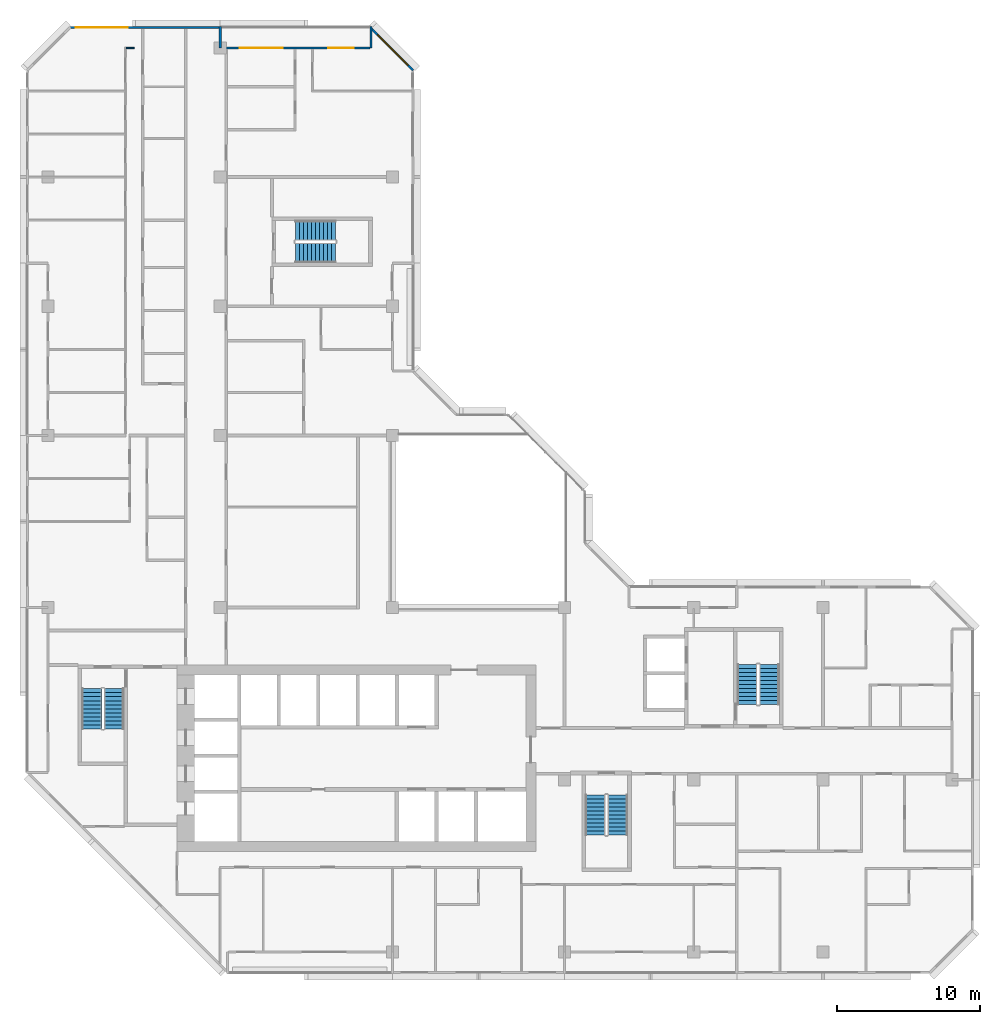
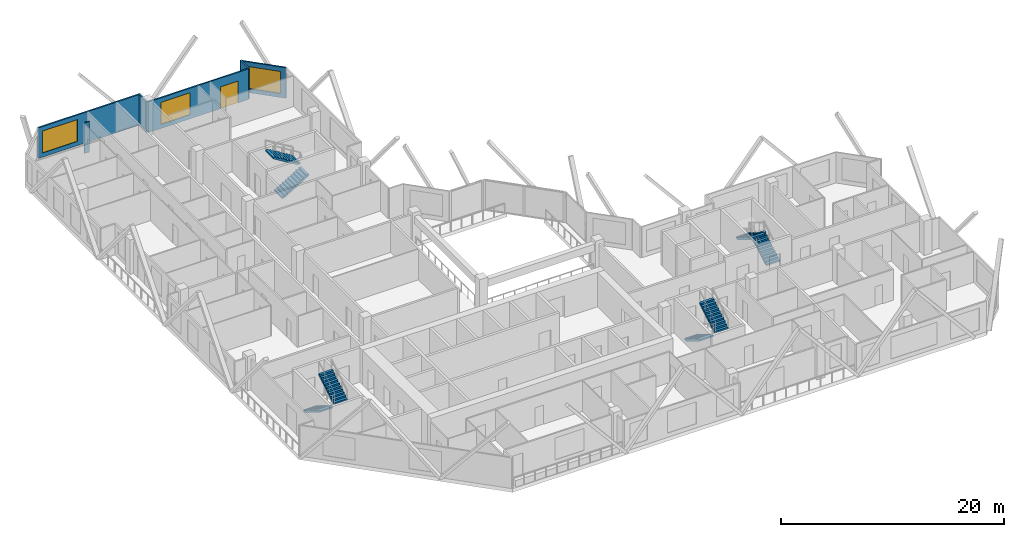
# One storey, part 13 of 15: 8 stair flights, 6 walls, 3 windows, 1 door, 4 openings, 4 elements without a shape of their own.
"""IFC4 building model written with IfcOpenShell, lengths in metres."""

from ifc_helpers import new_model, si_unit, direction, frame, frame_2d, origin, place, context, subcontext, project, spatial, polyline, rectangle, outline, extrude, material, layer, layer_set, type_object, element, fill, aggregate, save


model = new_model("IFC4")

# Units and contexts
model_context = context("Model", 3, precision=1e-05, world=origin(), true_north=direction((0.0, 1.0)))
body_context = subcontext(model_context, "Body", "Model", "MODEL_VIEW")
ifc_project = project(units=[si_unit("LENGTHUNIT", "METRE"), si_unit("AREAUNIT", "SQUARE_METRE"), si_unit("VOLUMEUNIT", "CUBIC_METRE"), si_unit("PLANEANGLEUNIT", "RADIAN"), si_unit("MASSUNIT", "GRAM", prefix="KILO")], contexts=[model_context])

# Site, building, storey
site_placement = place(None, origin())
site = spatial("IfcSite", under=ifc_project, at=site_placement, CompositionType="ELEMENT")
building_placement = place(site_placement, origin())
building = spatial("IfcBuilding", under=site, at=building_placement, Name="Chenar Terraces", CompositionType="ELEMENT")
storey_placement = place(building_placement, frame((0.0, 0.0, 211.64990234375)))
storey = spatial("IfcBuildingStorey", under=building, at=storey_placement, Name="L49", CompositionType="ELEMENT", Elevation=211.64990234375)

# Wall, opening, window
ifc_material_1 = material(Name="Aluminium framed glazing", Category="aluminium")
ifc_layer_1 = layer(ifc_material_1, 0.14990234375)
ifc_layer_set_1 = layer_set([ifc_layer_1], Name="Aluminium framed glazing")
wall_type_1 = type_object("IfcWallType", Name="Glazed flush facade wall 150", PredefinedType="SOLIDWALL", material=ifc_layer_set_1)
wall_1_placement = place(storey_placement, frame((11.925048828125, 64.425048828125, 0.0), z_axis=(0.0, 0.0, 1.0), x_axis=(-1.0, 0.0, 0.0)))
wall_1 = element("IfcWall", 1, at=wall_1_placement, inside=storey, type_object=wall_type_1, Name="Glazed flush facade wall", PredefinedType="SOLIDWALL", context=body_context, shape_type="SweptSolid", body=[
    extrude(rectangle(XDim=10.425048828125, YDim=0.14990234375, at=frame_2d((5.21240234375, 0.0))), origin(), (0.0, 0.0, 1.0), 3.35009765625),
])
opening_1_placement = place(wall_1_placement, frame((6.375, 0.0, 0.449951171875)))
opening_1 = element("IfcOpeningElement", 2, at=opening_1_placement, cuts=wall_1, Name="Opening W360x240", PredefinedType="OPENING", context=body_context, shape_type="SweptSolid", body=[
    extrude(rectangle(XDim=3.60009765625, YDim=2.39990234375, at=frame_2d((1.800048828125, 1.199951171875))), frame((0.0, 0.0849609375, 0.0), z_axis=(0.0, -1.0, 0.0), x_axis=(1.0, 0.0, 0.0)), (0.0, 0.0, 1.0), 0.169921875),
])
ifc_material_2 = material(Name="Low emissivity double glazing, aluminium frame", Category="aluminium")
window_type_1 = type_object("IfcWindowType", Name="Fixed light 3600 x 2400", PartitioningType="SINGLE_PANEL", PredefinedType="WINDOW", material=ifc_material_2)
window_1_placement = place(opening_1_placement, origin())
window_1 = element("IfcWindow", 3, at=window_1_placement, inside=storey, type_object=window_type_1, Name="Window", OverallHeight=2.39990234375, OverallWidth=3.60009765625, PartitioningType="SINGLE_PANEL", PredefinedType="WINDOW", context=body_context, shape_type="SweptSolid", body=[
    extrude(rectangle(XDim=3.60009765625, YDim=2.39990234375, at=frame_2d((1.800048828125, 1.199951171875))), frame((0.0, 0.030029296875, 0.0), z_axis=(0.0, -1.0, 0.0), x_axis=(1.0, 0.0, 0.0)), (0.0, 0.0, 1.0), 0.06005859375),
])
fill(opening_1, window_1)

# Wall, openings, window, door
ifc_material_3 = material(Name="Aluminium framed glazing", Category="aluminium")
ifc_layer_2 = layer(ifc_material_3, 0.14990234375)
ifc_layer_set_2 = layer_set([ifc_layer_2], Name="Aluminium framed glazing")
wall_type_2 = type_object("IfcWallType", Name="Glazed loggia back wall 150", PredefinedType="SOLIDWALL", material=ifc_layer_set_2)
wall_2_placement = place(storey_placement, frame((22.425048828125, 63.0, 0.0), z_axis=(0.0, 0.0, 1.0), x_axis=(-1.0, 0.0, 0.0)))
wall_2 = element("IfcWall", 4, at=wall_2_placement, inside=storey, type_object=wall_type_2, Name="Glazed loggia back wall", PredefinedType="SOLIDWALL", context=body_context, shape_type="SweptSolid", body=[
    extrude(rectangle(XDim=10.35009765625, YDim=0.14990234375, at=frame_2d((5.175048828125, 0.0))), origin(), (0.0, 0.0, 1.0), 3.35009765625),
])
opening_2_placement = place(wall_2_placement, frame((1.10009765625, 0.0, 0.0)))
opening_2 = element("IfcOpeningElement", 5, at=opening_2_placement, cuts=wall_2, Name="Opening DL49-G2", PredefinedType="OPENING", context=body_context, shape_type="SweptSolid", body=[
    extrude(rectangle(XDim=1.800048828125, YDim=2.39990234375, at=frame_2d((0.89990234375, 1.199951171875))), frame((0.0, 0.0849609375, 0.0), z_axis=(0.0, -1.0, 0.0), x_axis=(1.0, 0.0, 0.0)), (0.0, 0.0, 1.0), 0.169921875),
])
opening_3_placement = place(wall_2_placement, frame((6.050048828125, 0.0, 0.449951171875)))
opening_3 = element("IfcOpeningElement", 6, at=opening_3_placement, cuts=wall_2, Name="Opening W300x240", PredefinedType="OPENING", context=body_context, shape_type="SweptSolid", body=[
    extrude(rectangle(XDim=3.0, YDim=2.39990234375, at=frame_2d((1.5, 1.199951171875))), frame((0.0, 0.0849609375, 0.0), z_axis=(0.0, -1.0, 0.0), x_axis=(1.0, 0.0, 0.0)), (0.0, 0.0, 1.0), 0.169921875),
])
ifc_material_4 = material(Name="Low emissivity double glazing, aluminium frame", Category="aluminium")
window_type_2 = type_object("IfcWindowType", Name="Fixed light 3000 x 2400", PartitioningType="SINGLE_PANEL", PredefinedType="WINDOW", material=ifc_material_4)
window_2_placement = place(opening_3_placement, origin())
window_2 = element("IfcWindow", 7, at=window_2_placement, inside=storey, type_object=window_type_2, Name="Window", OverallHeight=2.39990234375, OverallWidth=3.0, PartitioningType="SINGLE_PANEL", PredefinedType="WINDOW", context=body_context, shape_type="SweptSolid", body=[
    extrude(rectangle(XDim=3.0, YDim=2.39990234375, at=frame_2d((1.5, 1.199951171875))), frame((0.0, 0.030029296875, 0.0), z_axis=(0.0, -1.0, 0.0), x_axis=(1.0, 0.0, 0.0)), (0.0, 0.0, 1.0), 0.06005859375),
])
fill(opening_3, window_2)
ifc_material_5 = material(Name="Low emissivity double glazing, aluminium frame", Category="aluminium")
door_type = type_object("IfcDoorType", Name="Loggia glazed double door 1800 x 2400", OperationType="DOUBLE_DOOR_SINGLE_SWING", PredefinedType="DOOR", material=ifc_material_5)
door_placement = place(opening_2_placement, frame((1.800048828125, 0.0, 0.0), z_axis=(0.0, 0.0, 1.0), x_axis=(-1.0, 0.0, 0.0)))
door = element("IfcDoor", 8, at=door_placement, inside=storey, type_object=door_type, Name="Loggia glazed door", OperationType="DOUBLE_DOOR_SINGLE_SWING", OverallHeight=2.39990234375, OverallWidth=1.800048828125, PredefinedType="DOOR", context=body_context, shape_type="SweptSolid", body=[
    extrude(rectangle(XDim=1.800048828125, YDim=2.39990234375, at=frame_2d((0.89990234375, 1.199951171875))), frame((0.0, 0.02490234375, 0.0), z_axis=(0.0, -1.0, 0.0), x_axis=(1.0, 0.0, 0.0)), (0.0, 0.0, 1.0), 0.050048828125),
])
fill(opening_2, door)

# Walls
ifc_material_6 = material(Name="Gypsum board on steel studs", Category="steel")
ifc_layer_3 = layer(ifc_material_6, 0.10009765625)
ifc_layer_set_3 = layer_set([ifc_layer_3], Name="Gypsum board on steel studs")
wall_type_3 = type_object("IfcWallType", Name="Gypsum partition 100", PredefinedType="PARTITIONING", material=ifc_layer_set_3)
wall_3_placement = place(storey_placement, frame((5.449951171875, 63.0, 0.0), z_axis=(0.0, 0.0, 1.0), x_axis=(1.0, 0.0, 0.0)))
element("IfcWall", 9, at=wall_3_placement, inside=storey, type_object=wall_type_3, Name="Partition L49-014", PredefinedType="PARTITIONING", context=body_context, shape_type="SweptSolid", body=[
    extrude(rectangle(XDim=0.550048828125, YDim=0.10009765625, at=frame_2d((0.27490234375, 0.0))), origin(), (0.0, 0.0, 1.0), 3.35009765625),
])
ifc_material_7 = material(Name="Terracotta cladding on insulated backing", Category="masonry")
ifc_layer_4 = layer(ifc_material_7, 0.14990234375)
ifc_layer_set_4 = layer_set([ifc_layer_4], Name="Terracotta cladding on insulated backing")
wall_type_4 = type_object("IfcWallType", Name="Loggia return wall 150", PredefinedType="SOLIDWALL", material=ifc_layer_set_4)
for number, where, z_axis, x_axis, name in (
    (10, (22.5, 64.5, 0.0), (0.0, 0.0, 1.0), (0.0, -1.0, 0.0), "Loggia return wall"),
    (11, (12.0, 64.5, 0.0), (0.0, 0.0, 1.0), (0.0, -1.0, 0.0), "Loggia return wall"),
):
    element("IfcWall", number, at=place(storey_placement, frame(where, z_axis=z_axis, x_axis=x_axis)), inside=storey, type_object=wall_type_4, Name=name, PredefinedType="SOLIDWALL", context=body_context, shape_type="SweptSolid", body=[
        extrude(rectangle(XDim=1.5, YDim=0.14990234375, at=frame_2d((0.75, 0.0))), origin(), (0.0, 0.0, 1.0), 3.35009765625),
    ])

# Wall, opening, window
ifc_material_8 = material(Name="Terracotta cladding on insulated backing", Category="masonry")
ifc_layer_5 = layer(ifc_material_8, 0.14990234375)
ifc_layer_set_5 = layer_set([ifc_layer_5], Name="Terracotta cladding on insulated backing")
wall_type_5 = type_object("IfcWallType", Name="Terracotta rainscreen wall 150", PredefinedType="SOLIDWALL", material=ifc_layer_set_5)
wall_4_placement = place(storey_placement, frame((25.447021484375, 61.447021484375, 0.0), z_axis=(0.0, 0.0, 1.0), x_axis=(-0.707106781187, 0.707106781187, 0.0)))
wall_4 = element("IfcWall", 12, at=wall_4_placement, inside=storey, type_object=wall_type_5, Name="Terracotta rainscreen wall", PredefinedType="SOLIDWALL", context=body_context, shape_type="SweptSolid", body=[
    extrude(rectangle(XDim=4.24267578125, YDim=0.14990234375, at=frame_2d((2.121337890625, 0.0))), origin(), (0.0, 0.0, 1.0), 3.35009765625),
])
opening_4_placement = place(wall_4_placement, frame((0.498046875, 0.0, 0.449951171875)))
opening_4 = element("IfcOpeningElement", 13, at=opening_4_placement, cuts=wall_4, Name="Opening W300x240", PredefinedType="OPENING", context=body_context, shape_type="SweptSolid", body=[
    extrude(rectangle(XDim=3.0, YDim=2.39990234375, at=frame_2d((1.5, 1.199951171875))), frame((0.0, 0.0849609375, 0.0), z_axis=(0.0, -1.0, 0.0), x_axis=(1.0, 0.0, 0.0)), (0.0, 0.0, 1.0), 0.169921875),
])
window_3_placement = place(opening_4_placement, origin())
window_3 = element("IfcWindow", 14, at=window_3_placement, inside=storey, type_object=window_type_2, Name="Window", OverallHeight=2.39990234375, OverallWidth=3.0, PartitioningType="SINGLE_PANEL", PredefinedType="WINDOW", context=body_context, shape_type="SweptSolid", body=[
    extrude(rectangle(XDim=3.0, YDim=2.39990234375, at=frame_2d((1.5, 1.199951171875))), frame((0.0, 0.030029296875, 0.0), z_axis=(0.0, -1.0, 0.0), x_axis=(1.0, 0.0, 0.0)), (0.0, 0.0, 1.0), 0.06005859375),
])
fill(opening_4, window_3)

# Stair, stair flights
ifc_material_9 = material(Name="Reinforced concrete C40/50", Category="concrete")
stair_type = type_object("IfcStairType", Name="Core stair 1400 half-turn", PredefinedType="HALF_TURN_STAIR", material=ifc_material_9)
placement = place(storey_placement, origin())
stair_1 = element("IfcStair", 15, at=placement, inside=storey, type_object=stair_type, Name="L49 Stair 1", PredefinedType="HALF_TURN_STAIR")
ifc_material_10 = material(Name="Reinforced concrete C40/50", Category="concrete")
stair_flight_type = type_object("IfcStairFlightType", Name="Core stair flight 1400", PredefinedType="STRAIGHT", material=ifc_material_10)
stair_flight_1_placement = place(storey_placement, frame((3.050048828125, 18.35009765625, 0.0), z_axis=(0.0, 0.0, 1.0), x_axis=(0.0, -1.0, 0.0)))
stair_flight_1 = element("IfcStairFlight", 16, at=stair_flight_1_placement, type_object=stair_flight_type, Name="ST1 flight 1", NumberOfRisers=11, NumberOfTreads=10, PredefinedType="STRAIGHT", RiserHeight=0.170454545, TreadLength=0.28, context=body_context, shape_type="SweptSolid", body=[
    extrude(outline(polyline([(-0.0029296875, 0.0), (-0.0029296875, 0.17041015625), (0.0, 0.17041015625), (0.280029296875, 0.17041015625), (0.280029296875, 0.3408203125), (0.56005859375, 0.3408203125), (0.56005859375, 0.511474609375), (0.840087890625, 0.511474609375), (0.840087890625, 0.681884765625), (1.1201171875, 0.681884765625), (1.1201171875, 0.852294921875), (1.39990234375, 0.852294921875), (1.39990234375, 1.022705078125), (1.679931640625, 1.022705078125), (1.679931640625, 1.193115234375), (1.9599609375, 1.193115234375), (1.9599609375, 1.363525390625), (2.239990234375, 1.363525390625), (2.239990234375, 1.5341796875), (2.52001953125, 1.5341796875), (2.52001953125, 1.70458984375), (2.800048828125, 1.70458984375), (2.802978515625, 1.70458984375), (2.802978515625, 1.529052734375), (2.800048828125, 1.529052734375), (0.288330078125, 0.0), (-0.0029296875, 0.0)])), frame((0.0, 0.699951171875, 0.0), z_axis=(0.0, -1.0, 0.0), x_axis=(1.0, 0.0, 0.0)), (0.0, 0.0, 1.0), 1.39990234375),
])
stair_flight_2_placement = place(storey_placement, frame((4.60009765625, 15.550048828125, 1.875), z_axis=(0.0, 0.0, 1.0), x_axis=(0.0, 1.0, 0.0)))
stair_flight_2 = element("IfcStairFlight", 17, at=stair_flight_2_placement, type_object=stair_flight_type, Name="ST1 flight 2", NumberOfRisers=11, NumberOfTreads=10, PredefinedType="STRAIGHT", RiserHeight=0.170454545, TreadLength=0.28, context=body_context, shape_type="SweptSolid", body=[
    extrude(outline(polyline([(-0.0029296875, 0.0), (-0.0029296875, 0.17041015625), (0.0, 0.17041015625), (0.280029296875, 0.17041015625), (0.280029296875, 0.3408203125), (0.56005859375, 0.3408203125), (0.56005859375, 0.511474609375), (0.840087890625, 0.511474609375), (0.840087890625, 0.681884765625), (1.1201171875, 0.681884765625), (1.1201171875, 0.852294921875), (1.39990234375, 0.852294921875), (1.39990234375, 1.022705078125), (1.679931640625, 1.022705078125), (1.679931640625, 1.193115234375), (1.9599609375, 1.193115234375), (1.9599609375, 1.363525390625), (2.239990234375, 1.363525390625), (2.239990234375, 1.5341796875), (2.52001953125, 1.5341796875), (2.52001953125, 1.70458984375), (2.800048828125, 1.70458984375), (2.802978515625, 1.70458984375), (2.802978515625, 1.529052734375), (2.800048828125, 1.529052734375), (0.288330078125, 0.0), (-0.0029296875, 0.0)])), frame((0.0, 0.699951171875, 0.0), z_axis=(0.0, -1.0, 0.0), x_axis=(1.0, 0.0, 0.0)), (0.0, 0.0, 1.0), 1.39990234375),
])
aggregate(stair_1, [stair_flight_1, stair_flight_2])

stair_2 = element("IfcStair", 18, at=placement, inside=storey, type_object=stair_type, Name="L49 Stair 2", PredefinedType="HALF_TURN_STAIR")
stair_flight_3_placement = place(storey_placement, frame((38.14990234375, 10.949951171875, 0.0), z_axis=(0.0, 0.0, 1.0), x_axis=(0.0, -1.0, 0.0)))
stair_flight_3 = element("IfcStairFlight", 19, at=stair_flight_3_placement, type_object=stair_flight_type, Name="ST2 flight 1", NumberOfRisers=11, NumberOfTreads=10, PredefinedType="STRAIGHT", RiserHeight=0.170454545, TreadLength=0.28, context=body_context, shape_type="SweptSolid", body=[
    extrude(outline(polyline([(-0.0029296875, 0.0), (-0.0029296875, 0.17041015625), (0.0, 0.17041015625), (0.280029296875, 0.17041015625), (0.280029296875, 0.3408203125), (0.56005859375, 0.3408203125), (0.56005859375, 0.511474609375), (0.840087890625, 0.511474609375), (0.840087890625, 0.681884765625), (1.1201171875, 0.681884765625), (1.1201171875, 0.852294921875), (1.39990234375, 0.852294921875), (1.39990234375, 1.022705078125), (1.679931640625, 1.022705078125), (1.679931640625, 1.193115234375), (1.9599609375, 1.193115234375), (1.9599609375, 1.363525390625), (2.239990234375, 1.363525390625), (2.239990234375, 1.5341796875), (2.52001953125, 1.5341796875), (2.52001953125, 1.70458984375), (2.800048828125, 1.70458984375), (2.802978515625, 1.70458984375), (2.802978515625, 1.529052734375), (2.800048828125, 1.529052734375), (0.288330078125, 0.0), (-0.0029296875, 0.0)])), frame((0.0, 0.699951171875, 0.0), z_axis=(0.0, -1.0, 0.0), x_axis=(1.0, 0.0, 0.0)), (0.0, 0.0, 1.0), 1.39990234375),
])
stair_flight_4_placement = place(storey_placement, frame((39.699951171875, 8.14990234375, 1.875), z_axis=(0.0, 0.0, 1.0), x_axis=(0.0, 1.0, 0.0)))
stair_flight_4 = element("IfcStairFlight", 20, at=stair_flight_4_placement, type_object=stair_flight_type, Name="ST2 flight 2", NumberOfRisers=11, NumberOfTreads=10, PredefinedType="STRAIGHT", RiserHeight=0.170454545, TreadLength=0.28, context=body_context, shape_type="SweptSolid", body=[
    extrude(outline(polyline([(-0.0029296875, 0.0), (-0.0029296875, 0.17041015625), (0.0, 0.17041015625), (0.280029296875, 0.17041015625), (0.280029296875, 0.3408203125), (0.56005859375, 0.3408203125), (0.56005859375, 0.511474609375), (0.840087890625, 0.511474609375), (0.840087890625, 0.681884765625), (1.1201171875, 0.681884765625), (1.1201171875, 0.852294921875), (1.39990234375, 0.852294921875), (1.39990234375, 1.022705078125), (1.679931640625, 1.022705078125), (1.679931640625, 1.193115234375), (1.9599609375, 1.193115234375), (1.9599609375, 1.363525390625), (2.239990234375, 1.363525390625), (2.239990234375, 1.5341796875), (2.52001953125, 1.5341796875), (2.52001953125, 1.70458984375), (2.800048828125, 1.70458984375), (2.802978515625, 1.70458984375), (2.802978515625, 1.529052734375), (2.800048828125, 1.529052734375), (0.288330078125, 0.0), (-0.0029296875, 0.0)])), frame((0.0, 0.699951171875, 0.0), z_axis=(0.0, -1.0, 0.0), x_axis=(1.0, 0.0, 0.0)), (0.0, 0.0, 1.0), 1.39990234375),
])
aggregate(stair_2, [stair_flight_3, stair_flight_4])

stair_3 = element("IfcStair", 21, at=placement, inside=storey, type_object=stair_type, Name="L49 Stair 3", PredefinedType="HALF_TURN_STAIR")
stair_flight_5_placement = place(storey_placement, frame((50.27490234375, 17.25, 0.0), z_axis=(0.0, 0.0, 1.0), x_axis=(0.0, 1.0, 0.0)))
stair_flight_5 = element("IfcStairFlight", 22, at=stair_flight_5_placement, type_object=stair_flight_type, Name="ST3 flight 1", NumberOfRisers=11, NumberOfTreads=10, PredefinedType="STRAIGHT", RiserHeight=0.170454545, TreadLength=0.28, context=body_context, shape_type="SweptSolid", body=[
    extrude(outline(polyline([(-0.0029296875, 0.0), (-0.0029296875, 0.17041015625), (0.0, 0.17041015625), (0.280029296875, 0.17041015625), (0.280029296875, 0.3408203125), (0.56005859375, 0.3408203125), (0.56005859375, 0.511474609375), (0.840087890625, 0.511474609375), (0.840087890625, 0.681884765625), (1.1201171875, 0.681884765625), (1.1201171875, 0.852294921875), (1.39990234375, 0.852294921875), (1.39990234375, 1.022705078125), (1.679931640625, 1.022705078125), (1.679931640625, 1.193115234375), (1.9599609375, 1.193115234375), (1.9599609375, 1.363525390625), (2.239990234375, 1.363525390625), (2.239990234375, 1.5341796875), (2.52001953125, 1.5341796875), (2.52001953125, 1.70458984375), (2.800048828125, 1.70458984375), (2.802978515625, 1.70458984375), (2.802978515625, 1.529052734375), (2.800048828125, 1.529052734375), (0.288330078125, 0.0), (-0.0029296875, 0.0)])), frame((0.0, 0.699951171875, 0.0), z_axis=(0.0, -1.0, 0.0), x_axis=(1.0, 0.0, 0.0)), (0.0, 0.0, 1.0), 1.39990234375),
])
stair_flight_6_placement = place(storey_placement, frame((48.72509765625, 20.050048828125, 1.875), z_axis=(0.0, 0.0, 1.0), x_axis=(0.0, -1.0, 0.0)))
stair_flight_6 = element("IfcStairFlight", 23, at=stair_flight_6_placement, type_object=stair_flight_type, Name="ST3 flight 2", NumberOfRisers=11, NumberOfTreads=10, PredefinedType="STRAIGHT", RiserHeight=0.170454545, TreadLength=0.28, context=body_context, shape_type="SweptSolid", body=[
    extrude(outline(polyline([(-0.0029296875, 0.0), (-0.0029296875, 0.17041015625), (0.0, 0.17041015625), (0.280029296875, 0.17041015625), (0.280029296875, 0.3408203125), (0.56005859375, 0.3408203125), (0.56005859375, 0.511474609375), (0.840087890625, 0.511474609375), (0.840087890625, 0.681884765625), (1.1201171875, 0.681884765625), (1.1201171875, 0.852294921875), (1.39990234375, 0.852294921875), (1.39990234375, 1.022705078125), (1.679931640625, 1.022705078125), (1.679931640625, 1.193115234375), (1.9599609375, 1.193115234375), (1.9599609375, 1.363525390625), (2.239990234375, 1.363525390625), (2.239990234375, 1.5341796875), (2.52001953125, 1.5341796875), (2.52001953125, 1.70458984375), (2.800048828125, 1.70458984375), (2.802978515625, 1.70458984375), (2.802978515625, 1.529052734375), (2.800048828125, 1.529052734375), (0.288330078125, 0.0), (-0.0029296875, 0.0)])), frame((0.0, 0.699951171875, 0.0), z_axis=(0.0, -1.0, 0.0), x_axis=(1.0, 0.0, 0.0)), (0.0, 0.0, 1.0), 1.39990234375),
])
aggregate(stair_3, [stair_flight_5, stair_flight_6])

stair_4 = element("IfcStair", 24, at=placement, inside=storey, type_object=stair_type, Name="L49 Stair 4", PredefinedType="HALF_TURN_STAIR")
stair_flight_7_placement = place(storey_placement, frame((17.25, 48.72509765625, 0.0), z_axis=(0.0, 0.0, 1.0), x_axis=(1.0, 0.0, 0.0)))
stair_flight_7 = element("IfcStairFlight", 25, at=stair_flight_7_placement, type_object=stair_flight_type, Name="ST4 flight 1", NumberOfRisers=11, NumberOfTreads=10, PredefinedType="STRAIGHT", RiserHeight=0.170454545, TreadLength=0.28, context=body_context, shape_type="SweptSolid", body=[
    extrude(outline(polyline([(-0.0029296875, 0.0), (-0.0029296875, 0.17041015625), (0.0, 0.17041015625), (0.280029296875, 0.17041015625), (0.280029296875, 0.3408203125), (0.56005859375, 0.3408203125), (0.56005859375, 0.511474609375), (0.840087890625, 0.511474609375), (0.840087890625, 0.681884765625), (1.1201171875, 0.681884765625), (1.1201171875, 0.852294921875), (1.39990234375, 0.852294921875), (1.39990234375, 1.022705078125), (1.679931640625, 1.022705078125), (1.679931640625, 1.193115234375), (1.9599609375, 1.193115234375), (1.9599609375, 1.363525390625), (2.239990234375, 1.363525390625), (2.239990234375, 1.5341796875), (2.52001953125, 1.5341796875), (2.52001953125, 1.70458984375), (2.800048828125, 1.70458984375), (2.802978515625, 1.70458984375), (2.802978515625, 1.529052734375), (2.800048828125, 1.529052734375), (0.288330078125, 0.0), (-0.0029296875, 0.0)])), frame((0.0, 0.699951171875, 0.0), z_axis=(0.0, -1.0, 0.0), x_axis=(1.0, 0.0, 0.0)), (0.0, 0.0, 1.0), 1.39990234375),
])
stair_flight_8_placement = place(storey_placement, frame((20.050048828125, 50.27490234375, 1.875), z_axis=(0.0, 0.0, 1.0), x_axis=(-1.0, 0.0, 0.0)))
stair_flight_8 = element("IfcStairFlight", 26, at=stair_flight_8_placement, type_object=stair_flight_type, Name="ST4 flight 2", NumberOfRisers=11, NumberOfTreads=10, PredefinedType="STRAIGHT", RiserHeight=0.170454545, TreadLength=0.28, context=body_context, shape_type="SweptSolid", body=[
    extrude(outline(polyline([(-0.0029296875, 0.0), (-0.0029296875, 0.17041015625), (0.0, 0.17041015625), (0.280029296875, 0.17041015625), (0.280029296875, 0.3408203125), (0.56005859375, 0.3408203125), (0.56005859375, 0.511474609375), (0.840087890625, 0.511474609375), (0.840087890625, 0.681884765625), (1.1201171875, 0.681884765625), (1.1201171875, 0.852294921875), (1.39990234375, 0.852294921875), (1.39990234375, 1.022705078125), (1.679931640625, 1.022705078125), (1.679931640625, 1.193115234375), (1.9599609375, 1.193115234375), (1.9599609375, 1.363525390625), (2.239990234375, 1.363525390625), (2.239990234375, 1.5341796875), (2.52001953125, 1.5341796875), (2.52001953125, 1.70458984375), (2.800048828125, 1.70458984375), (2.802978515625, 1.70458984375), (2.802978515625, 1.529052734375), (2.800048828125, 1.529052734375), (0.288330078125, 0.0), (-0.0029296875, 0.0)])), frame((0.0, 0.699951171875, 0.0), z_axis=(0.0, -1.0, 0.0), x_axis=(1.0, 0.0, 0.0)), (0.0, 0.0, 1.0), 1.39990234375),
])
aggregate(stair_4, [stair_flight_7, stair_flight_8])

save(model, "model.ifc")
